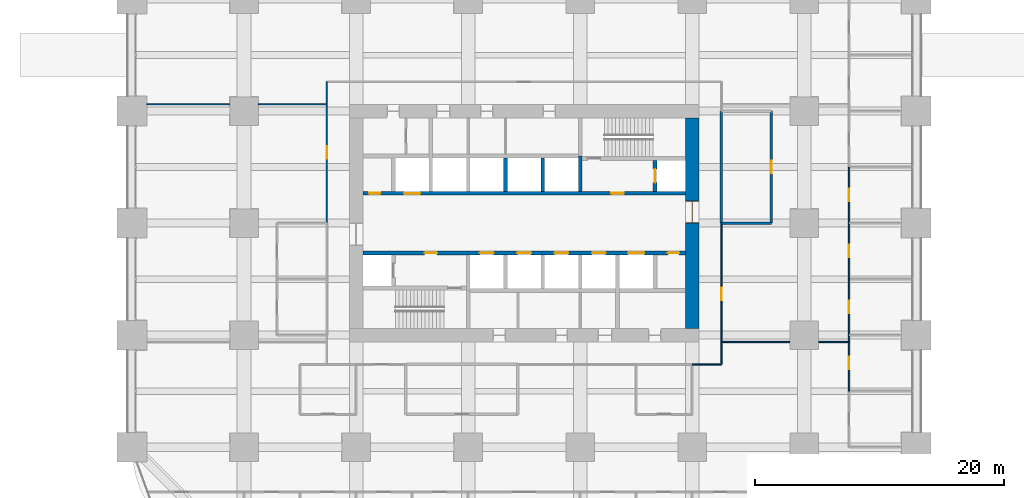
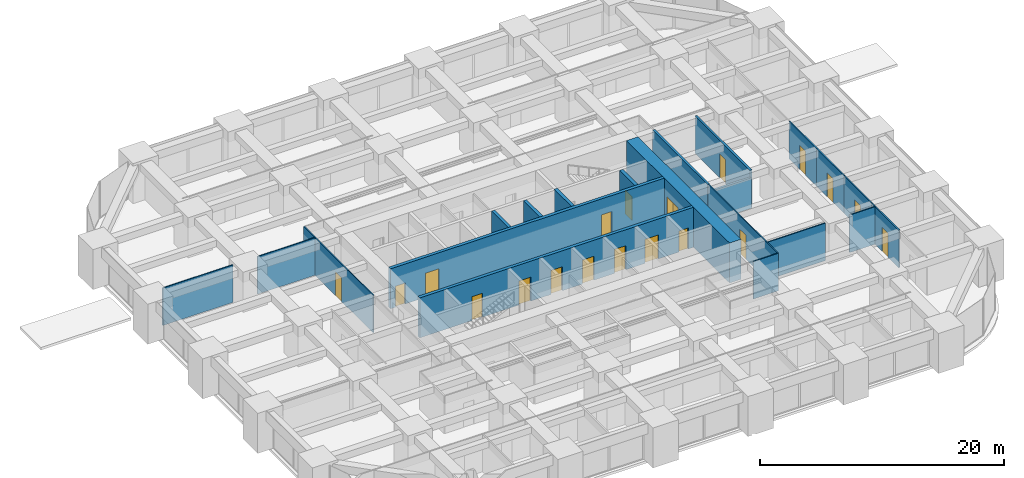
# One storey, part 35 of 39: 21 walls, 19 doors, 19 openings.
"""IFC4 building model written with IfcOpenShell, lengths in metres."""

from ifc_helpers import new_model, si_unit, direction, frame, frame_2d, origin, place, context, subcontext, project, spatial, rectangle, extrude, material, layer, layer_set, type_object, element, fill, save


model = new_model("IFC4")

# Units and contexts
model_context = context("Model", 3, precision=1e-05, world=origin(), true_north=direction((0.0, 1.0)))
body_context = subcontext(model_context, "Body", "Model", "MODEL_VIEW")
ifc_project = project(units=[si_unit("LENGTHUNIT", "METRE"), si_unit("AREAUNIT", "SQUARE_METRE"), si_unit("VOLUMEUNIT", "CUBIC_METRE"), si_unit("PLANEANGLEUNIT", "RADIAN"), si_unit("MASSUNIT", "GRAM", prefix="KILO")], contexts=[model_context])

# Site, building, storey
site_placement = place(None, origin())
site = spatial("IfcSite", under=ifc_project, at=site_placement, CompositionType="ELEMENT")
building_placement = place(site_placement, origin())
building = spatial("IfcBuilding", under=site, at=building_placement, Name="Zorevar Civic Tower", CompositionType="ELEMENT")
storey_placement = place(building_placement, frame((0.0, 0.0, 19.800048828125)))
storey = spatial("IfcBuildingStorey", under=building, at=storey_placement, Name="L04", CompositionType="ELEMENT", Elevation=19.800048828125)

# Walls
ifc_material_1 = material(Name="Concrete blockwork", Category="masonry")
ifc_layer_1 = layer(ifc_material_1, 0.199951171875)
ifc_layer_set_1 = layer_set([ifc_layer_1], Name="Blockwork wall 200")
wall_type_1 = type_object("IfcWallType", Name="Blockwork wall 200", PredefinedType="SOLIDWALL", material=ifc_layer_set_1)
wall_1_placement = place(storey_placement, frame((47.35009765625, 27.0, 0.0), z_axis=(0.0, 0.0, 1.0), x_axis=(1.0, 0.0, 0.0)))
element("IfcWall", 1, at=wall_1_placement, inside=storey, type_object=wall_type_1, Name="Blockwork wall 200 L04", PredefinedType="SOLIDWALL", context=body_context, shape_type="SweptSolid", body=[
    extrude(rectangle(XDim=4.0, YDim=0.199951171875, at=frame_2d((2.0, 0.0))), origin(), (0.0, 0.0, 1.0), 3.050048828125),
])
wall_2_placement = place(storey_placement, frame((47.35009765625, 27.0, 0.0), z_axis=(0.0, 0.0, 1.0), x_axis=(0.0, 1.0, 0.0)))
element("IfcWall", 2, at=wall_2_placement, inside=storey, type_object=wall_type_1, Name="Blockwork wall 200 L04", PredefinedType="SOLIDWALL", context=body_context, shape_type="SweptSolid", body=[
    extrude(rectangle(XDim=9.0, YDim=0.199951171875, at=frame_2d((4.5, 0.0))), origin(), (0.0, 0.0, 1.0), 3.75),
])

# Wall, opening, door
wall_3_placement = place(storey_placement, frame((51.35009765625, 27.0, 0.0), z_axis=(0.0, 0.0, 1.0), x_axis=(0.0, 1.0, 0.0)))
wall_3 = element("IfcWall", 3, at=wall_3_placement, inside=storey, type_object=wall_type_1, Name="Blockwork wall 200 L04", PredefinedType="SOLIDWALL", context=body_context, shape_type="SweptSolid", body=[
    extrude(rectangle(XDim=9.0, YDim=0.199951171875, at=frame_2d((4.5, 0.0))), origin(), (0.0, 0.0, 1.0), 3.75),
])
opening_1_placement = place(wall_3_placement, frame((4.0, 0.0, 0.0)))
opening_1 = element("IfcOpeningElement", 4, at=opening_1_placement, cuts=wall_3, Name="Opening L04.41", PredefinedType="OPENING", context=body_context, shape_type="SweptSolid", body=[
    extrude(rectangle(XDim=1.0, YDim=2.39990234375, at=frame_2d((0.5, 1.199951171875))), frame((0.0, 0.10986328125, 0.0), z_axis=(0.0, -1.0, 0.0), x_axis=(1.0, 0.0, 0.0)), (0.0, 0.0, 1.0), 0.219970703125),
])
ifc_material_2 = material(Name="Steel door set", Category="steel")
door_type_1 = type_object("IfcDoorType", Name="Security door SD1 1000x2400", OperationType="SINGLE_SWING_LEFT", PredefinedType="DOOR", material=ifc_material_2)
door_1_placement = place(opening_1_placement, origin())
door_1 = element("IfcDoor", 5, at=door_1_placement, inside=storey, type_object=door_type_1, Name="Door L04 D1", OperationType="SINGLE_SWING_RIGHT", OverallHeight=2.39990234375, OverallWidth=1.0, PredefinedType="DOOR", context=body_context, shape_type="SweptSolid", body=[
    extrude(rectangle(XDim=1.0, YDim=2.39990234375, at=frame_2d((0.5, 1.199951171875))), frame((0.0, 0.03515625, 0.0), z_axis=(0.0, -1.0, 0.0), x_axis=(1.0, 0.0, 0.0)), (0.0, 0.0, 1.0), 0.070068359375),
])
fill(opening_1, door_1)

ifc_material_3 = material(Name="Concrete C50/60", Category="concrete")
ifc_layer_2 = layer(ifc_material_3, 1.10009765625)
ifc_layer_set_2 = layer_set([ifc_layer_2], Name="Core wall 1100")
wall_type_2 = type_object("IfcWallType", Name="Core wall 1100", PredefinedType="SHEAR", material=ifc_layer_set_2)
wall_4_placement = place(storey_placement, frame((45.0, 18.550048828125, 0.0), z_axis=(0.0, 0.0, 1.0), x_axis=(0.0, 1.0, 0.0)))
wall_4 = element("IfcWall", 6, at=wall_4_placement, inside=storey, type_object=wall_type_2, Name="Core wall E L04", PredefinedType="SHEAR", context=body_context, shape_type="SweptSolid", body=[
    extrude(rectangle(XDim=16.89990234375, YDim=1.10009765625, at=frame_2d((8.449951171875, 0.0))), origin(), (0.0, 0.0, 1.0), 4.0),
])
opening_2_placement = place(wall_4_placement, frame((8.449951171875, 0.0, 0.0)))
opening_2 = element("IfcOpeningElement", 7, at=opening_2_placement, cuts=wall_4, Name="Opening L04.02", PredefinedType="OPENING", context=body_context, shape_type="SweptSolid", body=[
    extrude(rectangle(XDim=1.800048828125, YDim=2.39990234375, at=frame_2d((0.89990234375, 1.199951171875))), frame((0.0, 0.56005859375, 0.0), z_axis=(0.0, -1.0, 0.0), x_axis=(1.0, 0.0, 0.0)), (0.0, 0.0, 1.0), 1.1201171875),
])
ifc_material_4 = material(Name="Steel door set", Category="steel")
door_type_2 = type_object("IfcDoorType", Name="Fire door FD2 1800x2400", OperationType="DOUBLE_DOOR_DOUBLE_SWING", PredefinedType="DOOR", material=ifc_material_4)
door_2_placement = place(opening_2_placement, origin())
door_2 = element("IfcDoor", 8, at=door_2_placement, inside=storey, type_object=door_type_2, Name="Door L04 01", OperationType="DOUBLE_DOOR_DOUBLE_SWING", OverallHeight=2.39990234375, OverallWidth=1.800048828125, PredefinedType="DOOR", context=body_context, shape_type="SweptSolid", body=[
    extrude(rectangle(XDim=1.800048828125, YDim=2.39990234375, at=frame_2d((0.89990234375, 1.199951171875))), frame((0.0, 0.030029296875, 0.0), z_axis=(0.0, -1.0, 0.0), x_axis=(1.0, 0.0, 0.0)), (0.0, 0.0, 1.0), 0.06005859375),
    extrude(rectangle(XDim=0.04, YDim=2.39990234375, at=frame_2d((0.02001953125, 1.199951171875))), frame((0.0, 0.5498046875, 0.0), z_axis=(0.0, -1.0, 0.0), x_axis=(1.0, 0.0, 0.0)), (0.0, 0.0, 1.0), 1.099609375),
    extrude(rectangle(XDim=0.04, YDim=2.39990234375, at=frame_2d((1.780029296875, 1.199951171875))), frame((0.0, 0.5498046875, 0.0), z_axis=(0.0, -1.0, 0.0), x_axis=(1.0, 0.0, 0.0)), (0.0, 0.0, 1.0), 1.099609375),
    extrude(rectangle(XDim=1.800048828125, YDim=0.04, at=frame_2d((0.89990234375, 2.3798828125))), frame((0.0, 0.5498046875, 0.0), z_axis=(0.0, -1.0, 0.0), x_axis=(1.0, 0.0, 0.0)), (0.0, 0.0, 1.0), 1.099609375),
])
fill(opening_2, door_2)

# Walls
ifc_material_5 = material(Name="Laminated glass in black aluminium frame", Category="aluminium")
ifc_layer_3 = layer(ifc_material_5, 0.10009765625)
ifc_layer_set_3 = layer_set([ifc_layer_3], Name="Glazed partition 100")
wall_type_3 = type_object("IfcWallType", Name="Glazed partition 100", PredefinedType="PARTITIONING", material=ifc_layer_set_3)
wall_5_placement = place(storey_placement, frame((45.0, 15.64990234375, 0.0), z_axis=(0.0, 0.0, 1.0), x_axis=(1.0, 0.0, 0.0)))
element("IfcWall", 9, at=wall_5_placement, inside=storey, type_object=wall_type_3, Name="Glazed partition 100 L04", PredefinedType="PARTITIONING", context=body_context, shape_type="SweptSolid", body=[
    extrude(rectangle(XDim=2.35009765625, YDim=0.10009765625, at=frame_2d((1.175048828125, 0.0))), origin(), (0.0, 0.0, 1.0), 3.75),
])
wall_6_placement = place(storey_placement, frame((47.35009765625, 17.449951171875, 0.0), z_axis=(0.0, 0.0, 1.0), x_axis=(1.0, 0.0, 0.0)))
element("IfcWall", 10, at=wall_6_placement, inside=storey, type_object=wall_type_3, Name="Glazed partition 100 L04", PredefinedType="PARTITIONING", context=body_context, shape_type="SweptSolid", body=[
    extrude(rectangle(XDim=5.5, YDim=0.10009765625, at=frame_2d((2.75, 0.0))), origin(), (0.0, 0.0, 1.0), 3.75),
])
wall_7_placement = place(storey_placement, frame((55.14990234375, 17.449951171875, 0.0), z_axis=(0.0, 0.0, 1.0), x_axis=(1.0, 0.0, 0.0)))
element("IfcWall", 11, at=wall_7_placement, inside=storey, type_object=wall_type_3, Name="Glazed partition 100 L04", PredefinedType="PARTITIONING", context=body_context, shape_type="SweptSolid", body=[
    extrude(rectangle(XDim=2.460205078125, YDim=0.10009765625, at=frame_2d((1.22998046875, 0.0))), origin(), (0.0, 0.0, 1.0), 3.75),
])
wall_8_placement = place(storey_placement, frame((1.199951171875, 36.550048828125, 0.0), z_axis=(0.0, 0.0, 1.0), x_axis=(1.0, 0.0, 0.0)))
element("IfcWall", 12, at=wall_8_placement, inside=storey, type_object=wall_type_3, Name="Glazed partition 100 L04", PredefinedType="PARTITIONING", context=body_context, shape_type="SweptSolid", body=[
    extrude(rectangle(XDim=6.650146484375, YDim=0.10009765625, at=frame_2d((3.3251953125, 0.0))), origin(), (0.0, 0.0, 1.0), 3.75),
])
wall_9_placement = place(storey_placement, frame((10.14990234375, 36.550048828125, 0.0), z_axis=(0.0, 0.0, 1.0), x_axis=(1.0, 0.0, 0.0)))
element("IfcWall", 13, at=wall_9_placement, inside=storey, type_object=wall_type_3, Name="Glazed partition 100 L04", PredefinedType="PARTITIONING", context=body_context, shape_type="SweptSolid", body=[
    extrude(rectangle(XDim=5.5, YDim=0.10009765625, at=frame_2d((2.75, 0.0))), origin(), (0.0, 0.0, 1.0), 3.75),
])

# Wall, opening, door
wall_10_placement = place(storey_placement, frame((15.64990234375, 27.0, 0.0), z_axis=(0.0, 0.0, 1.0), x_axis=(0.0, 1.0, 0.0)))
wall_10 = element("IfcWall", 14, at=wall_10_placement, inside=storey, type_object=wall_type_3, Name="Glazed partition 100 L04", PredefinedType="PARTITIONING", context=body_context, shape_type="SweptSolid", body=[
    extrude(rectangle(XDim=11.35009765625, YDim=0.10009765625, at=frame_2d((5.675048828125, 0.0))), origin(), (0.0, 0.0, 1.0), 3.75),
])
opening_3_placement = place(wall_10_placement, frame((5.175048828125, 0.0, 0.0)))
opening_3 = element("IfcOpeningElement", 15, at=opening_3_placement, cuts=wall_10, Name="Opening L04.39", PredefinedType="OPENING", context=body_context, shape_type="SweptSolid", body=[
    extrude(rectangle(XDim=1.0, YDim=2.39990234375, at=frame_2d((0.5, 1.199951171875))), frame((0.0, 0.06005859375, 0.0), z_axis=(0.0, -1.0, 0.0), x_axis=(1.0, 0.0, 0.0)), (0.0, 0.0, 1.0), 0.1201171875),
])
ifc_material_6 = material(Name="Timber door set", Category="wood")
door_type_3 = type_object("IfcDoorType", Name="Glazed door GD1 1000x2400", OperationType="SINGLE_SWING_LEFT", PredefinedType="DOOR", material=ifc_material_6)
door_3_placement = place(opening_3_placement, origin())
door_3 = element("IfcDoor", 16, at=door_3_placement, inside=storey, type_object=door_type_3, Name="Door L04 D1", OperationType="SINGLE_SWING_LEFT", OverallHeight=2.39990234375, OverallWidth=1.0, PredefinedType="DOOR", context=body_context, shape_type="SweptSolid", body=[
    extrude(rectangle(XDim=1.0, YDim=2.39990234375, at=frame_2d((0.5, 1.199951171875))), frame((0.0, 0.02001953125, 0.0), z_axis=(0.0, -1.0, 0.0), x_axis=(1.0, 0.0, 0.0)), (0.0, 0.0, 1.0), 0.0400390625),
])
fill(opening_3, door_3)

wall_11_placement = place(storey_placement, frame((47.35009765625, 15.64990234375, 0.0), z_axis=(0.0, 0.0, 1.0), x_axis=(0.0, 1.0, 0.0)))
wall_11 = element("IfcWall", 17, at=wall_11_placement, inside=storey, type_object=wall_type_3, Name="Glazed partition 100 L04", PredefinedType="PARTITIONING", context=body_context, shape_type="SweptSolid", body=[
    extrude(rectangle(XDim=11.35009765625, YDim=0.10009765625, at=frame_2d((5.675048828125, 0.0))), origin(), (0.0, 0.0, 1.0), 3.75),
])
opening_4_placement = place(wall_11_placement, frame((5.175048828125, 0.0, 0.0)))
opening_4 = element("IfcOpeningElement", 18, at=opening_4_placement, cuts=wall_11, Name="Opening L04.40", PredefinedType="OPENING", context=body_context, shape_type="SweptSolid", body=[
    extrude(rectangle(XDim=1.0, YDim=2.39990234375, at=frame_2d((0.5, 1.199951171875))), frame((0.0, 0.06005859375, 0.0), z_axis=(0.0, -1.0, 0.0), x_axis=(1.0, 0.0, 0.0)), (0.0, 0.0, 1.0), 0.1201171875),
])
door_4_placement = place(opening_4_placement, origin())
door_4 = element("IfcDoor", 19, at=door_4_placement, inside=storey, type_object=door_type_3, Name="Door L04 D1", OperationType="SINGLE_SWING_LEFT", OverallHeight=2.39990234375, OverallWidth=1.0, PredefinedType="DOOR", context=body_context, shape_type="SweptSolid", body=[
    extrude(rectangle(XDim=1.0, YDim=2.39990234375, at=frame_2d((0.5, 1.199951171875))), frame((0.0, 0.02001953125, 0.0), z_axis=(0.0, -1.0, 0.0), x_axis=(1.0, 0.0, 0.0)), (0.0, 0.0, 1.0), 0.0400390625),
])
fill(opening_4, door_4)

ifc_material_7 = material(Name="Concrete C40/50", Category="concrete")
ifc_layer_4 = layer(ifc_material_7, 0.300048828125)
ifc_layer_set_4 = layer_set([ifc_layer_4], Name="Inner core wall 300")
wall_type_4 = type_object("IfcWallType", Name="Inner core wall 300", PredefinedType="SHEAR", material=ifc_layer_set_4)
wall_12_placement = place(storey_placement, frame((42.0, 29.550048828125, 0.0), z_axis=(0.0, 0.0, 1.0), x_axis=(0.0, 1.0, 0.0)))
wall_12 = element("IfcWall", 20, at=wall_12_placement, inside=storey, type_object=wall_type_4, Name="Inner core wall N02 L04", PredefinedType="SHEAR", context=body_context, shape_type="SweptSolid", body=[
    extrude(rectangle(XDim=2.5, YDim=0.300048828125, at=frame_2d((1.25, 0.0))), origin(), (0.0, 0.0, 1.0), 4.0),
])
opening_5_placement = place(wall_12_placement, frame((0.699951171875, 0.0, 0.0)))
opening_5 = element("IfcOpeningElement", 21, at=opening_5_placement, cuts=wall_12, Name="Opening L04.FL2", PredefinedType="OPENING", context=body_context, shape_type="SweptSolid", body=[
    extrude(rectangle(XDim=1.10009765625, YDim=2.39990234375, at=frame_2d((0.550048828125, 1.199951171875))), frame((0.0, 0.159912109375, 0.0), z_axis=(0.0, -1.0, 0.0), x_axis=(1.0, 0.0, 0.0)), (0.0, 0.0, 1.0), 0.320068359375),
])
ifc_material_8 = material(Name="Steel door set", Category="steel")
door_type_4 = type_object("IfcDoorType", Name="Firefighting lift landing door LD3 1100x2400", OperationType="DOUBLE_DOOR_SLIDING", PredefinedType="DOOR", material=ifc_material_8)
door_5_placement = place(opening_5_placement, origin())
door_5 = element("IfcDoor", 22, at=door_5_placement, inside=storey, type_object=door_type_4, Name="Landing door FL2 L04", OperationType="DOUBLE_DOOR_SLIDING", OverallHeight=2.39990234375, OverallWidth=1.10009765625, PredefinedType="DOOR", context=body_context, shape_type="SweptSolid", body=[
    extrude(rectangle(XDim=1.10009765625, YDim=2.39990234375, at=frame_2d((0.550048828125, 1.199951171875))), frame((0.0, 0.030029296875, 0.0), z_axis=(0.0, -1.0, 0.0), x_axis=(1.0, 0.0, 0.0)), (0.0, 0.0, 1.0), 0.06005859375),
])
fill(opening_5, door_5)

# Wall, openings, doors
wall_13_placement = place(storey_placement, frame((18.550048828125, 24.60009765625, 0.0), z_axis=(0.0, 0.0, 1.0), x_axis=(1.0, 0.0, 0.0)))
wall_13 = element("IfcWall", 23, at=wall_13_placement, inside=storey, type_object=wall_type_4, Name="Inner core wall S03 L04", PredefinedType="SHEAR", context=body_context, shape_type="SweptSolid", body=[
    extrude(rectangle(XDim=25.89990234375, YDim=0.300048828125, at=frame_2d((12.949951171875, 0.0))), origin(), (0.0, 0.0, 1.0), 4.0),
])
opening_6_placement = place(wall_13_placement, frame((4.949951171875, 0.0, 0.0)))
opening_6 = element("IfcOpeningElement", 24, at=opening_6_placement, cuts=wall_13, Name="Opening L04.13", PredefinedType="OPENING", context=body_context, shape_type="SweptSolid", body=[
    extrude(rectangle(XDim=1.0, YDim=2.39990234375, at=frame_2d((0.5, 1.199951171875))), frame((0.0, 0.159912109375, 0.0), z_axis=(0.0, -1.0, 0.0), x_axis=(1.0, 0.0, 0.0)), (0.0, 0.0, 1.0), 0.320068359375),
])
opening_7_placement = place(wall_13_placement, frame((24.5, 0.0, 0.0)))
opening_7 = element("IfcOpeningElement", 25, at=opening_7_placement, cuts=wall_13, Name="Opening L04.15", PredefinedType="OPENING", context=body_context, shape_type="SweptSolid", body=[
    extrude(rectangle(XDim=0.89990234375, YDim=2.10009765625, at=frame_2d((0.449951171875, 1.050048828125))), frame((0.0, 0.159912109375, 0.0), z_axis=(0.0, -1.0, 0.0), x_axis=(1.0, 0.0, 0.0)), (0.0, 0.0, 1.0), 0.320068359375),
])
opening_8_placement = place(wall_13_placement, frame((9.39990234375, 0.0, 0.0)))
opening_8 = element("IfcOpeningElement", 26, at=opening_8_placement, cuts=wall_13, Name="Opening L04.LP1", PredefinedType="OPENING", context=body_context, shape_type="SweptSolid", body=[
    extrude(rectangle(XDim=1.10009765625, YDim=2.39990234375, at=frame_2d((0.550048828125, 1.199951171875))), frame((0.0, 0.159912109375, 0.0), z_axis=(0.0, -1.0, 0.0), x_axis=(1.0, 0.0, 0.0)), (0.0, 0.0, 1.0), 0.320068359375),
])
opening_9_placement = place(wall_13_placement, frame((12.39990234375, 0.0, 0.0)))
opening_9 = element("IfcOpeningElement", 27, at=opening_9_placement, cuts=wall_13, Name="Opening L04.LP2", PredefinedType="OPENING", context=body_context, shape_type="SweptSolid", body=[
    extrude(rectangle(XDim=1.10009765625, YDim=2.39990234375, at=frame_2d((0.550048828125, 1.199951171875))), frame((0.0, 0.159912109375, 0.0), z_axis=(0.0, -1.0, 0.0), x_axis=(1.0, 0.0, 0.0)), (0.0, 0.0, 1.0), 0.320068359375),
])
opening_10_placement = place(wall_13_placement, frame((15.39990234375, 0.0, 0.0)))
opening_10 = element("IfcOpeningElement", 28, at=opening_10_placement, cuts=wall_13, Name="Opening L04.LP3", PredefinedType="OPENING", context=body_context, shape_type="SweptSolid", body=[
    extrude(rectangle(XDim=1.10009765625, YDim=2.39990234375, at=frame_2d((0.550048828125, 1.199951171875))), frame((0.0, 0.159912109375, 0.0), z_axis=(0.0, -1.0, 0.0), x_axis=(1.0, 0.0, 0.0)), (0.0, 0.0, 1.0), 0.320068359375),
])
opening_11_placement = place(wall_13_placement, frame((18.39990234375, 0.0, 0.0)))
opening_11 = element("IfcOpeningElement", 29, at=opening_11_placement, cuts=wall_13, Name="Opening L04.LP4", PredefinedType="OPENING", context=body_context, shape_type="SweptSolid", body=[
    extrude(rectangle(XDim=1.10009765625, YDim=2.39990234375, at=frame_2d((0.550048828125, 1.199951171875))), frame((0.0, 0.159912109375, 0.0), z_axis=(0.0, -1.0, 0.0), x_axis=(1.0, 0.0, 0.0)), (0.0, 0.0, 1.0), 0.320068359375),
])
opening_12_placement = place(wall_13_placement, frame((21.300048828125, 0.0, 0.0)))
opening_12 = element("IfcOpeningElement", 30, at=opening_12_placement, cuts=wall_13, Name="Opening L04.SL1", PredefinedType="OPENING", context=body_context, shape_type="SweptSolid", body=[
    extrude(rectangle(XDim=1.300048828125, YDim=2.39990234375, at=frame_2d((0.64990234375, 1.199951171875))), frame((0.0, 0.159912109375, 0.0), z_axis=(0.0, -1.0, 0.0), x_axis=(1.0, 0.0, 0.0)), (0.0, 0.0, 1.0), 0.320068359375),
])
ifc_material_9 = material(Name="Steel door set", Category="steel")
door_type_5 = type_object("IfcDoorType", Name="Fire door FD1 1000x2400", OperationType="SINGLE_SWING_LEFT", PredefinedType="DOOR", material=ifc_material_9)
door_6_placement = place(opening_6_placement, origin())
door_6 = element("IfcDoor", 31, at=door_6_placement, inside=storey, type_object=door_type_5, Name="Door L04 12", OperationType="SINGLE_SWING_RIGHT", OverallHeight=2.39990234375, OverallWidth=1.0, PredefinedType="DOOR", context=body_context, shape_type="SweptSolid", body=[
    extrude(rectangle(XDim=1.0, YDim=2.39990234375, at=frame_2d((0.5, 1.199951171875))), frame((0.0, 0.030029296875, 0.0), z_axis=(0.0, -1.0, 0.0), x_axis=(1.0, 0.0, 0.0)), (0.0, 0.0, 1.0), 0.06005859375),
])
fill(opening_6, door_6)
ifc_material_10 = material(Name="Steel door set", Category="steel")
door_type_6 = type_object("IfcDoorType", Name="Landing door LD1 1100x2400", OperationType="DOUBLE_DOOR_SLIDING", PredefinedType="DOOR", material=ifc_material_10)
door_7_placement = place(opening_8_placement, origin())
door_7 = element("IfcDoor", 32, at=door_7_placement, inside=storey, type_object=door_type_6, Name="Landing door LP1 L04", OperationType="DOUBLE_DOOR_SLIDING", OverallHeight=2.39990234375, OverallWidth=1.10009765625, PredefinedType="DOOR", context=body_context, shape_type="SweptSolid", body=[
    extrude(rectangle(XDim=1.10009765625, YDim=2.39990234375, at=frame_2d((0.550048828125, 1.199951171875))), frame((0.0, 0.02001953125, 0.0), z_axis=(0.0, -1.0, 0.0), x_axis=(1.0, 0.0, 0.0)), (0.0, 0.0, 1.0), 0.0400390625),
])
fill(opening_8, door_7)
door_8_placement = place(opening_9_placement, origin())
door_8 = element("IfcDoor", 33, at=door_8_placement, inside=storey, type_object=door_type_6, Name="Landing door LP2 L04", OperationType="DOUBLE_DOOR_SLIDING", OverallHeight=2.39990234375, OverallWidth=1.10009765625, PredefinedType="DOOR", context=body_context, shape_type="SweptSolid", body=[
    extrude(rectangle(XDim=1.10009765625, YDim=2.39990234375, at=frame_2d((0.550048828125, 1.199951171875))), frame((0.0, 0.02001953125, 0.0), z_axis=(0.0, -1.0, 0.0), x_axis=(1.0, 0.0, 0.0)), (0.0, 0.0, 1.0), 0.0400390625),
])
fill(opening_9, door_8)
door_9_placement = place(opening_10_placement, origin())
door_9 = element("IfcDoor", 34, at=door_9_placement, inside=storey, type_object=door_type_6, Name="Landing door LP3 L04", OperationType="DOUBLE_DOOR_SLIDING", OverallHeight=2.39990234375, OverallWidth=1.10009765625, PredefinedType="DOOR", context=body_context, shape_type="SweptSolid", body=[
    extrude(rectangle(XDim=1.10009765625, YDim=2.39990234375, at=frame_2d((0.550048828125, 1.199951171875))), frame((0.0, 0.02001953125, 0.0), z_axis=(0.0, -1.0, 0.0), x_axis=(1.0, 0.0, 0.0)), (0.0, 0.0, 1.0), 0.0400390625),
])
fill(opening_10, door_9)
door_10_placement = place(opening_11_placement, origin())
door_10 = element("IfcDoor", 35, at=door_10_placement, inside=storey, type_object=door_type_6, Name="Landing door LP4 L04", OperationType="DOUBLE_DOOR_SLIDING", OverallHeight=2.39990234375, OverallWidth=1.10009765625, PredefinedType="DOOR", context=body_context, shape_type="SweptSolid", body=[
    extrude(rectangle(XDim=1.10009765625, YDim=2.39990234375, at=frame_2d((0.550048828125, 1.199951171875))), frame((0.0, 0.02001953125, 0.0), z_axis=(0.0, -1.0, 0.0), x_axis=(1.0, 0.0, 0.0)), (0.0, 0.0, 1.0), 0.0400390625),
])
fill(opening_11, door_10)
ifc_material_11 = material(Name="Steel door set", Category="steel")
door_type_7 = type_object("IfcDoorType", Name="Landing door LD2 1300x2400", OperationType="DOUBLE_DOOR_SLIDING", PredefinedType="DOOR", material=ifc_material_11)
door_11_placement = place(opening_12_placement, origin())
door_11 = element("IfcDoor", 36, at=door_11_placement, inside=storey, type_object=door_type_7, Name="Landing door SL1 L04", OperationType="DOUBLE_DOOR_SLIDING", OverallHeight=2.39990234375, OverallWidth=1.300048828125, PredefinedType="DOOR", context=body_context, shape_type="SweptSolid", body=[
    extrude(rectangle(XDim=1.300048828125, YDim=2.39990234375, at=frame_2d((0.64990234375, 1.199951171875))), frame((0.0, 0.02001953125, 0.0), z_axis=(0.0, -1.0, 0.0), x_axis=(1.0, 0.0, 0.0)), (0.0, 0.0, 1.0), 0.0400390625),
])
fill(opening_12, door_11)
ifc_material_12 = material(Name="Steel door set", Category="steel")
door_type_8 = type_object("IfcDoorType", Name="Riser door RD1 900x2100", OperationType="SINGLE_SWING_LEFT", PredefinedType="DOOR", material=ifc_material_12)
door_12_placement = place(opening_7_placement, origin())
door_12 = element("IfcDoor", 37, at=door_12_placement, inside=storey, type_object=door_type_8, Name="Door L04 14", OperationType="SINGLE_SWING_RIGHT", OverallHeight=2.10009765625, OverallWidth=0.89990234375, PredefinedType="DOOR", context=body_context, shape_type="SweptSolid", body=[
    extrude(rectangle(XDim=0.89990234375, YDim=2.10009765625, at=frame_2d((0.449951171875, 1.050048828125))), frame((0.0, 0.030029296875, 0.0), z_axis=(0.0, -1.0, 0.0), x_axis=(1.0, 0.0, 0.0)), (0.0, 0.0, 1.0), 0.06005859375),
])
fill(opening_7, door_12)

wall_14_placement = place(storey_placement, frame((18.550048828125, 29.39990234375, 0.0), z_axis=(0.0, 0.0, 1.0), x_axis=(1.0, 0.0, 0.0)))
wall_14 = element("IfcWall", 38, at=wall_14_placement, inside=storey, type_object=wall_type_4, Name="Inner core wall N03 L04", PredefinedType="SHEAR", context=body_context, shape_type="SweptSolid", body=[
    extrude(rectangle(XDim=25.89990234375, YDim=0.300048828125, at=frame_2d((12.949951171875, 0.0))), origin(), (0.0, 0.0, 1.0), 4.0),
])
opening_13_placement = place(wall_14_placement, frame((19.949951171875, 0.0, 0.0)))
opening_13 = element("IfcOpeningElement", 39, at=opening_13_placement, cuts=wall_14, Name="Opening L04.14", PredefinedType="OPENING", context=body_context, shape_type="SweptSolid", body=[
    extrude(rectangle(XDim=1.0, YDim=2.39990234375, at=frame_2d((0.5, 1.199951171875))), frame((0.0, 0.159912109375, 0.0), z_axis=(0.0, -1.0, 0.0), x_axis=(1.0, 0.0, 0.0)), (0.0, 0.0, 1.0), 0.320068359375),
])
opening_14_placement = place(wall_14_placement, frame((0.5, 0.0, 0.0)))
opening_14 = element("IfcOpeningElement", 40, at=opening_14_placement, cuts=wall_14, Name="Opening L04.16", PredefinedType="OPENING", context=body_context, shape_type="SweptSolid", body=[
    extrude(rectangle(XDim=0.89990234375, YDim=2.10009765625, at=frame_2d((0.449951171875, 1.050048828125))), frame((0.0, 0.159912109375, 0.0), z_axis=(0.0, -1.0, 0.0), x_axis=(1.0, 0.0, 0.0)), (0.0, 0.0, 1.0), 0.320068359375),
])
opening_15_placement = place(wall_14_placement, frame((3.300048828125, 0.0, 0.0)))
opening_15 = element("IfcOpeningElement", 41, at=opening_15_placement, cuts=wall_14, Name="Opening L04.SL2", PredefinedType="OPENING", context=body_context, shape_type="SweptSolid", body=[
    extrude(rectangle(XDim=1.300048828125, YDim=2.39990234375, at=frame_2d((0.64990234375, 1.199951171875))), frame((0.0, 0.159912109375, 0.0), z_axis=(0.0, -1.0, 0.0), x_axis=(1.0, 0.0, 0.0)), (0.0, 0.0, 1.0), 0.320068359375),
])
door_13_placement = place(opening_13_placement, origin())
door_13 = element("IfcDoor", 42, at=door_13_placement, inside=storey, type_object=door_type_5, Name="Door L04 13", OperationType="SINGLE_SWING_RIGHT", OverallHeight=2.39990234375, OverallWidth=1.0, PredefinedType="DOOR", context=body_context, shape_type="SweptSolid", body=[
    extrude(rectangle(XDim=1.0, YDim=2.39990234375, at=frame_2d((0.5, 1.199951171875))), frame((0.0, 0.030029296875, 0.0), z_axis=(0.0, -1.0, 0.0), x_axis=(1.0, 0.0, 0.0)), (0.0, 0.0, 1.0), 0.06005859375),
])
fill(opening_13, door_13)
door_14_placement = place(opening_15_placement, origin())
door_14 = element("IfcDoor", 43, at=door_14_placement, inside=storey, type_object=door_type_7, Name="Landing door SL2 L04", OperationType="DOUBLE_DOOR_SLIDING", OverallHeight=2.39990234375, OverallWidth=1.300048828125, PredefinedType="DOOR", context=body_context, shape_type="SweptSolid", body=[
    extrude(rectangle(XDim=1.300048828125, YDim=2.39990234375, at=frame_2d((0.64990234375, 1.199951171875))), frame((0.0, 0.02001953125, 0.0), z_axis=(0.0, -1.0, 0.0), x_axis=(1.0, 0.0, 0.0)), (0.0, 0.0, 1.0), 0.0400390625),
])
fill(opening_15, door_14)
door_15_placement = place(opening_14_placement, origin())
door_15 = element("IfcDoor", 44, at=door_15_placement, inside=storey, type_object=door_type_8, Name="Door L04 15", OperationType="SINGLE_SWING_RIGHT", OverallHeight=2.10009765625, OverallWidth=0.89990234375, PredefinedType="DOOR", context=body_context, shape_type="SweptSolid", body=[
    extrude(rectangle(XDim=0.89990234375, YDim=2.10009765625, at=frame_2d((0.449951171875, 1.050048828125))), frame((0.0, 0.030029296875, 0.0), z_axis=(0.0, -1.0, 0.0), x_axis=(1.0, 0.0, 0.0)), (0.0, 0.0, 1.0), 0.06005859375),
])
fill(opening_14, door_15)

# Walls
for number, where, z_axis, x_axis, name in (
    (45, (33.0, 29.550048828125, 0.0), (0.0, 0.0, 1.0), (0.0, 1.0, 0.0), "Inner core wall N05 L04"),
    (46, (30.0, 29.550048828125, 0.0), (0.0, 0.0, 1.0), (0.0, 1.0, 0.0), "Inner core wall N06 L04"),
):
    element("IfcWall", number, at=place(storey_placement, frame(where, z_axis=z_axis, x_axis=x_axis)), inside=storey, type_object=wall_type_4, Name=name, PredefinedType="SHEAR", context=body_context, shape_type="SweptSolid", body=[
        extrude(rectangle(XDim=2.699951171875, YDim=0.300048828125, at=frame_2d((1.35009765625, 0.0))), origin(), (0.0, 0.0, 1.0), 4.0),
    ])
wall_15_placement = place(storey_placement, frame((36.0, 29.550048828125, 0.0), z_axis=(0.0, 0.0, 1.0), x_axis=(0.0, 1.0, 0.0)))
element("IfcWall", 47, at=wall_15_placement, inside=storey, type_object=wall_type_4, Name="Inner core wall N10 L04", PredefinedType="SHEAR", context=body_context, shape_type="SweptSolid", body=[
    extrude(rectangle(XDim=2.849853515625, YDim=0.300048828125, at=frame_2d((1.4248046875, 0.0))), origin(), (0.0, 0.0, 1.0), 4.0),
])

# Wall, opening, door
ifc_material_13 = material(Name="Gypsum board on steel studs", Category="steel")
ifc_layer_5 = layer(ifc_material_13, 0.1201171875)
ifc_layer_set_5 = layer_set([ifc_layer_5], Name="Partition 120")
wall_type_5 = type_object("IfcWallType", Name="Partition 120", PredefinedType="PARTITIONING", material=ifc_layer_set_5)
wall_16_placement = place(storey_placement, frame((57.60009765625, 13.5, 0.0), z_axis=(0.0, 0.0, 1.0), x_axis=(0.0, 1.0, 0.0)))
wall_16 = element("IfcWall", 48, at=wall_16_placement, inside=storey, type_object=wall_type_5, Name="Partition 120 L04", PredefinedType="PARTITIONING", context=body_context, shape_type="SweptSolid", body=[
    extrude(rectangle(XDim=4.5, YDim=0.1201171875, at=frame_2d((2.25, 0.0))), origin(), (0.0, 0.0, 1.0), 3.75),
])
opening_16_placement = place(wall_16_placement, frame((1.75, 0.0, 0.0)))
opening_16 = element("IfcOpeningElement", 49, at=opening_16_placement, cuts=wall_16, Name="Opening L04.43", PredefinedType="OPENING", context=body_context, shape_type="SweptSolid", body=[
    extrude(rectangle(XDim=1.0, YDim=2.39990234375, at=frame_2d((0.5, 1.199951171875))), frame((0.0, 0.070068359375, 0.0), z_axis=(0.0, -1.0, 0.0), x_axis=(1.0, 0.0, 0.0)), (0.0, 0.0, 1.0), 0.14013671875),
])
ifc_material_14 = material(Name="Timber door set", Category="wood")
door_type_9 = type_object("IfcDoorType", Name="Door D1 1000x2400", OperationType="SINGLE_SWING_LEFT", PredefinedType="DOOR", material=ifc_material_14)
door_16_placement = place(opening_16_placement, origin())
door_16 = element("IfcDoor", 50, at=door_16_placement, inside=storey, type_object=door_type_9, Name="Door L04 D1", OperationType="SINGLE_SWING_LEFT", OverallHeight=2.39990234375, OverallWidth=1.0, PredefinedType="DOOR", context=body_context, shape_type="SweptSolid", body=[
    extrude(rectangle(XDim=1.0, YDim=2.39990234375, at=frame_2d((0.5, 1.199951171875))), frame((0.0, 0.02490234375, 0.0), z_axis=(0.0, -1.0, 0.0), x_axis=(1.0, 0.0, 0.0)), (0.0, 0.0, 1.0), 0.050048828125),
])
fill(opening_16, door_16)

wall_17_placement = place(storey_placement, frame((57.60009765625, 18.0, 0.0), z_axis=(0.0, 0.0, 1.0), x_axis=(0.0, 1.0, 0.0)))
wall_17 = element("IfcWall", 51, at=wall_17_placement, inside=storey, type_object=wall_type_5, Name="Partition 120 L04", PredefinedType="PARTITIONING", context=body_context, shape_type="SweptSolid", body=[
    extrude(rectangle(XDim=4.5, YDim=0.1201171875, at=frame_2d((2.25, 0.0))), origin(), (0.0, 0.0, 1.0), 3.75),
])
opening_17_placement = place(wall_17_placement, frame((1.75, 0.0, 0.0)))
opening_17 = element("IfcOpeningElement", 52, at=opening_17_placement, cuts=wall_17, Name="Opening L04.44", PredefinedType="OPENING", context=body_context, shape_type="SweptSolid", body=[
    extrude(rectangle(XDim=1.0, YDim=2.39990234375, at=frame_2d((0.5, 1.199951171875))), frame((0.0, 0.070068359375, 0.0), z_axis=(0.0, -1.0, 0.0), x_axis=(1.0, 0.0, 0.0)), (0.0, 0.0, 1.0), 0.14013671875),
])
door_17_placement = place(opening_17_placement, origin())
door_17 = element("IfcDoor", 53, at=door_17_placement, inside=storey, type_object=door_type_9, Name="Door L04 D1", OperationType="SINGLE_SWING_RIGHT", OverallHeight=2.39990234375, OverallWidth=1.0, PredefinedType="DOOR", context=body_context, shape_type="SweptSolid", body=[
    extrude(rectangle(XDim=1.0, YDim=2.39990234375, at=frame_2d((0.5, 1.199951171875))), frame((0.0, 0.02490234375, 0.0), z_axis=(0.0, -1.0, 0.0), x_axis=(1.0, 0.0, 0.0)), (0.0, 0.0, 1.0), 0.050048828125),
])
fill(opening_17, door_17)

wall_18_placement = place(storey_placement, frame((57.60009765625, 22.5, 0.0), z_axis=(0.0, 0.0, 1.0), x_axis=(0.0, 1.0, 0.0)))
wall_18 = element("IfcWall", 54, at=wall_18_placement, inside=storey, type_object=wall_type_5, Name="Partition 120 L04", PredefinedType="PARTITIONING", context=body_context, shape_type="SweptSolid", body=[
    extrude(rectangle(XDim=4.5, YDim=0.1201171875, at=frame_2d((2.25, 0.0))), origin(), (0.0, 0.0, 1.0), 3.75),
])
opening_18_placement = place(wall_18_placement, frame((1.75, 0.0, 0.0)))
opening_18 = element("IfcOpeningElement", 55, at=opening_18_placement, cuts=wall_18, Name="Opening L04.45", PredefinedType="OPENING", context=body_context, shape_type="SweptSolid", body=[
    extrude(rectangle(XDim=1.0, YDim=2.39990234375, at=frame_2d((0.5, 1.199951171875))), frame((0.0, 0.070068359375, 0.0), z_axis=(0.0, -1.0, 0.0), x_axis=(1.0, 0.0, 0.0)), (0.0, 0.0, 1.0), 0.14013671875),
])
door_18_placement = place(opening_18_placement, origin())
door_18 = element("IfcDoor", 56, at=door_18_placement, inside=storey, type_object=door_type_9, Name="Door L04 D1", OperationType="SINGLE_SWING_RIGHT", OverallHeight=2.39990234375, OverallWidth=1.0, PredefinedType="DOOR", context=body_context, shape_type="SweptSolid", body=[
    extrude(rectangle(XDim=1.0, YDim=2.39990234375, at=frame_2d((0.5, 1.199951171875))), frame((0.0, 0.02490234375, 0.0), z_axis=(0.0, -1.0, 0.0), x_axis=(1.0, 0.0, 0.0)), (0.0, 0.0, 1.0), 0.050048828125),
])
fill(opening_18, door_18)

wall_19_placement = place(storey_placement, frame((57.60009765625, 27.0, 0.0), z_axis=(0.0, 0.0, 1.0), x_axis=(0.0, 1.0, 0.0)))
wall_19 = element("IfcWall", 57, at=wall_19_placement, inside=storey, type_object=wall_type_5, Name="Partition 120 L04", PredefinedType="PARTITIONING", context=body_context, shape_type="SweptSolid", body=[
    extrude(rectangle(XDim=4.5, YDim=0.1201171875, at=frame_2d((2.25, 0.0))), origin(), (0.0, 0.0, 1.0), 3.75),
])
opening_19_placement = place(wall_19_placement, frame((1.75, 0.0, 0.0)))
opening_19 = element("IfcOpeningElement", 58, at=opening_19_placement, cuts=wall_19, Name="Opening L04.46", PredefinedType="OPENING", context=body_context, shape_type="SweptSolid", body=[
    extrude(rectangle(XDim=1.0, YDim=2.39990234375, at=frame_2d((0.5, 1.199951171875))), frame((0.0, 0.070068359375, 0.0), z_axis=(0.0, -1.0, 0.0), x_axis=(1.0, 0.0, 0.0)), (0.0, 0.0, 1.0), 0.14013671875),
])
door_19_placement = place(opening_19_placement, origin())
door_19 = element("IfcDoor", 59, at=door_19_placement, inside=storey, type_object=door_type_9, Name="Door L04 D1", OperationType="SINGLE_SWING_LEFT", OverallHeight=2.39990234375, OverallWidth=1.0, PredefinedType="DOOR", context=body_context, shape_type="SweptSolid", body=[
    extrude(rectangle(XDim=1.0, YDim=2.39990234375, at=frame_2d((0.5, 1.199951171875))), frame((0.0, 0.02490234375, 0.0), z_axis=(0.0, -1.0, 0.0), x_axis=(1.0, 0.0, 0.0)), (0.0, 0.0, 1.0), 0.050048828125),
])
fill(opening_19, door_19)

save(model, "model.ifc")
